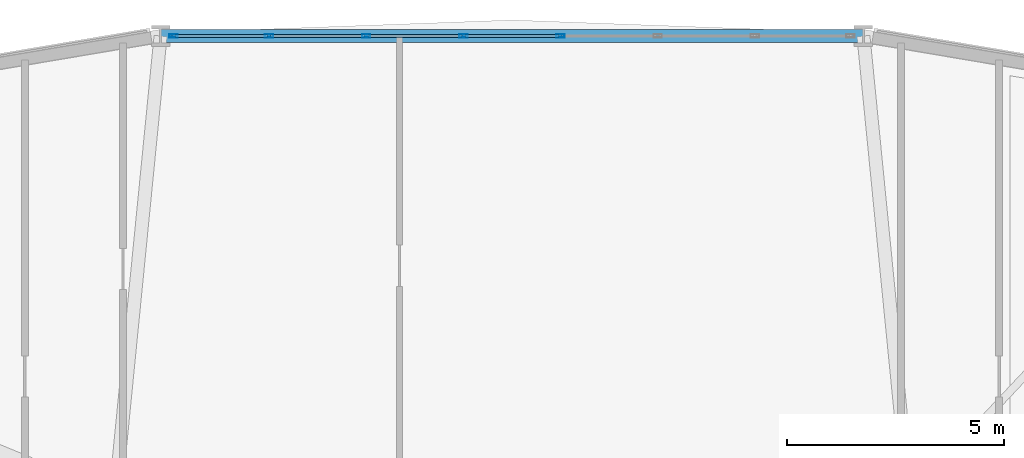
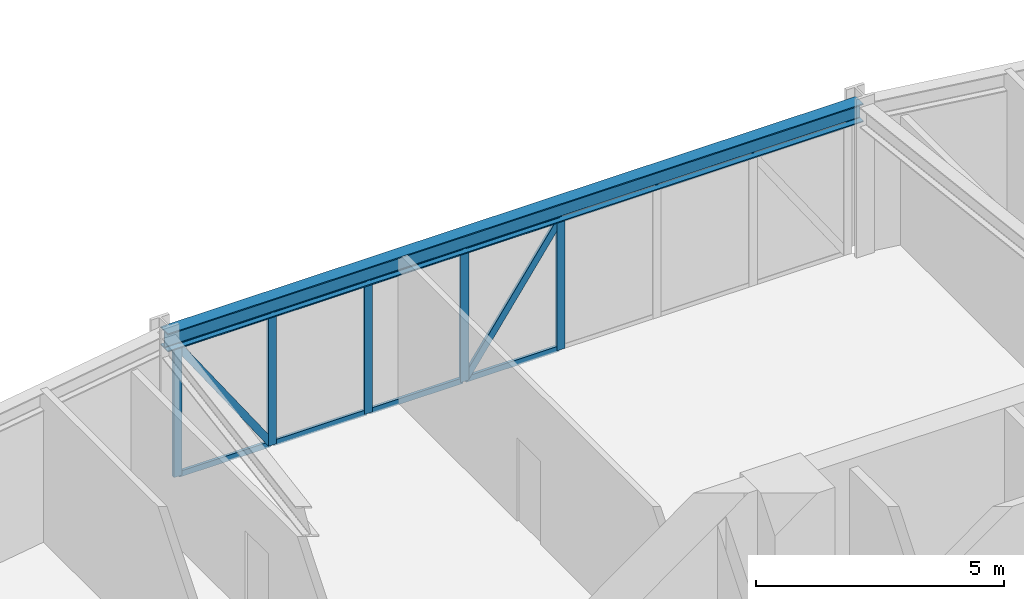
# One storey, part 11 of 21: 15 members, 1 beam, 1 element without a shape of its own.
"""IFC4 building model written with IfcOpenShell, lengths in metres."""

import ifcopenshell
import ifcopenshell.guid

model = None  # the IFC model being written
_history = None  # IfcOwnerHistory: only IFC2X3 demands one
_inside = {}  # id of a spatial element -> (the spatial element, [elements in it])
_under = {}  # id of a project, library or spatial element -> (it, [spatial elements below it])
_declared = {}  # id of a project -> (the project, [libraries it declares])
_typed = {}  # id of a type object -> (the type object, [elements of that type])
_made_of = {}  # id of a material, layer set ... -> (it, [elements and type objects made of it])


def new_model(schema):
    """Start an empty IFC model of exactly this schema.

    Asked for "IFC4X3", IfcOpenShell would pick the latest addendum, in which some entities
    have other attributes; the version numbers below select the first issue.
    IFC2X3 requires an IfcOwnerHistory on every rooted entity: one is made here for all.
    """
    global model, _history
    if schema == "IFC4X3":
        model = ifcopenshell.file(schema_version=(4, 3, 0, 0))
    else:
        model = ifcopenshell.file(schema=schema)
    _inside.clear()
    _under.clear()
    _declared.clear()
    _typed.clear()
    _made_of.clear()
    _history = None
    if model.schema == "IFC2X3":
        org = make("IfcOrganization", Name="unknown")
        user = make(
            "IfcPersonAndOrganization",
            ThePerson=make("IfcPerson", FamilyName="unknown"),
            TheOrganization=org,
        )
        app = make(
            "IfcApplication",
            ApplicationDeveloper=org,
            Version="unknown",
            ApplicationFullName="unknown",
            ApplicationIdentifier="unknown",
        )
        _history = make(
            "IfcOwnerHistory",
            OwningUser=user,
            OwningApplication=app,
            ChangeAction="ADDED",
            CreationDate=0,
        )
    return model


def make(cls, **values):
    """One entity of the class cls with the attributes given. An attribute that is None is left unset."""
    return model.create_entity(
        cls, **{name: value for name, value in values.items() if value is not None}
    )


def rooted(cls, **values):
    """An entity with a GlobalId (a new one), such as an element, a storey or a relation."""
    return make(cls, GlobalId=ifcopenshell.guid.new(), OwnerHistory=_history, **values)


def si_unit(unit_type, name, prefix=None):
    """IfcSIUnit, for example si_unit("LENGTHUNIT", "METRE", prefix="MILLI")."""
    return make("IfcSIUnit", UnitType=unit_type, Prefix=prefix, Name=name)


def derived_unit(unit_type, elements):
    """IfcDerivedUnit: a product of units, each with its exponent."""
    return make(
        "IfcDerivedUnit",
        Elements=[
            make("IfcDerivedUnitElement", Unit=unit, Exponent=power)
            for unit, power in elements
        ],
        UnitType=unit_type,
    )


def assignment(units):
    """IfcUnitAssignment: the units of a project."""
    return None if units is None else make("IfcUnitAssignment", Units=units)


def point(xyz):
    """IfcCartesianPoint."""
    return None if xyz is None else make("IfcCartesianPoint", Coordinates=xyz)


def direction(xyz):
    """IfcDirection."""
    return None if xyz is None else make("IfcDirection", DirectionRatios=xyz)


def frame(location, z_axis=None, x_axis=None):
    """IfcAxis2Placement3D, a coordinate frame: its origin and axes. An axis left out is left unset."""
    return make(
        "IfcAxis2Placement3D",
        Location=point(location),
        Axis=direction(z_axis),
        RefDirection=direction(x_axis),
    )


def frame_2d(location, x_axis=None):
    """IfcAxis2Placement2D, a coordinate frame in the plane: its origin and x axis."""
    return make(
        "IfcAxis2Placement2D", Location=point(location), RefDirection=direction(x_axis)
    )


def origin():
    """The frame at (0, 0, 0) with its axes left unset."""
    return frame((0.0, 0.0, 0.0))


def origin_2d():
    """The frame at (0, 0) in the plane with its x axis left unset."""
    return frame_2d((0.0, 0.0))


def place(relative_to, where):
    """IfcLocalPlacement: puts the frame where relative to a parent placement (None: the world)."""
    return make(
        "IfcLocalPlacement", PlacementRelTo=relative_to, RelativePlacement=where
    )


def context(
    kind, dimensions, precision=None, world=None, true_north=None, identifier=None
):
    """IfcGeometricRepresentationContext, for example the 3D "Model" context."""
    return make(
        "IfcGeometricRepresentationContext",
        ContextIdentifier=identifier,
        ContextType=kind,
        CoordinateSpaceDimension=dimensions,
        Precision=precision,
        WorldCoordinateSystem=world,
        TrueNorth=true_north,
    )


def subcontext(parent, identifier, kind, view, scale=None):
    """IfcGeometricRepresentationSubContext, for example "Body" below "Model"."""
    return make(
        "IfcGeometricRepresentationSubContext",
        ContextIdentifier=identifier,
        ContextType=kind,
        ParentContext=parent,
        TargetScale=scale,
        TargetView=view,
    )


def project(units=None, contexts=None):
    """IfcProject with its units and contexts."""
    return rooted(
        "IfcProject",
        Name="project",
        RepresentationContexts=contexts,
        UnitsInContext=assignment(units),
    )


def spatial(cls, under=None, at=None, **own):
    """A site, building, storey or space (cls), placed at a placement, below another one or the project."""
    s = rooted(cls, ObjectPlacement=at, **own)
    if under is not None:
        _under.setdefault(under.id(), (under, []))[1].append(s)
    return s


def profile(cls, at=None, kind="AREA", **sizes):
    """A parametric profile (cls). Its sizes go by their IFC names, for example OverallWidth=200.0."""
    return make(cls, ProfileType=kind, Position=at, **sizes)


def hollow_rectangle(**sizes):
    """IfcRectangleHollowProfileDef."""
    return profile("IfcRectangleHollowProfileDef", **sizes)


def i_section(**sizes):
    """IfcIShapeProfileDef."""
    return profile("IfcIShapeProfileDef", **sizes)


def extrude(swept, where, along, depth):
    """IfcExtrudedAreaSolid: the profile swept, set in the frame where, extruded along a direction by depth."""
    return make(
        "IfcExtrudedAreaSolid",
        SweptArea=swept,
        Position=where,
        ExtrudedDirection=direction(along),
        Depth=depth,
    )


def shape(context_of_items, identifier, shape_type, items):
    """IfcShapeRepresentation: the items that make up one representation, for example the "Body"."""
    return make(
        "IfcShapeRepresentation",
        ContextOfItems=context_of_items,
        RepresentationIdentifier=identifier,
        RepresentationType=shape_type,
        Items=items,
    )


def source(mapping_origin, context_of_items, identifier, shape_type, items):
    """IfcRepresentationMap: a shape defined once, which mapped items show again and again."""
    return make(
        "IfcRepresentationMap",
        MappingOrigin=mapping_origin,
        MappedRepresentation=shape(context_of_items, identifier, shape_type, items),
    )


def transform(
    local_origin,
    x_axis=None,
    y_axis=None,
    z_axis=None,
    scale=None,
    scale2=None,
    scale3=None,
    uniform=True,
):
    """IfcCartesianTransformationOperator3D, or its non-uniform kind. x_axis, y_axis, z_axis: its Axis1, 2, 3."""
    if uniform:
        return make(
            "IfcCartesianTransformationOperator3D",
            Axis1=direction(x_axis),
            Axis2=direction(y_axis),
            LocalOrigin=point(local_origin),
            Scale=scale,
            Axis3=direction(z_axis),
        )
    return make(
        "IfcCartesianTransformationOperator3DnonUniform",
        Axis1=direction(x_axis),
        Axis2=direction(y_axis),
        LocalOrigin=point(local_origin),
        Scale=scale,
        Axis3=direction(z_axis),
        Scale2=scale2,
        Scale3=scale3,
    )


def mapped(mapping_source, mapping_target):
    """IfcMappedItem: shows the shape of a source again, moved by a transform."""
    return make(
        "IfcMappedItem", MappingSource=mapping_source, MappingTarget=mapping_target
    )


def material(Name=None, Category=None):
    """IfcMaterial."""
    return make("IfcMaterial", Name=Name, Category=Category)


def layer(
    of_material, thickness, ventilated=None, Name=None, Category=None, Priority=None
):
    """IfcMaterialLayer: one layer of a wall or slab, of a material (None: an air gap)."""
    return make(
        "IfcMaterialLayer",
        Material=of_material,
        LayerThickness=thickness,
        IsVentilated=ventilated,
        Name=Name,
        Category=Category,
        Priority=Priority,
    )


def layer_set(layers, Name=None):
    """IfcMaterialLayerSet."""
    return make("IfcMaterialLayerSet", MaterialLayers=layers, LayerSetName=Name)


def material_profile(
    of_material, cross_section, Name=None, Category=None, Priority=None
):
    """IfcMaterialProfile: a cross section and its material."""
    return make(
        "IfcMaterialProfile",
        Name=Name,
        Material=of_material,
        Profile=cross_section,
        Priority=Priority,
        Category=Category,
    )


def profile_set(profiles, Name=None, composite=None):
    """IfcMaterialProfileSet."""
    return make(
        "IfcMaterialProfileSet",
        Name=Name,
        MaterialProfiles=profiles,
        CompositeProfile=composite,
    )


def made_of(thing, what):
    """Note that an element or type object is made of a material, layer set ...; save() writes the relation."""
    if what is not None:
        _made_of.setdefault(what.id(), (what, []))[1].append(thing)
    return thing


def type_object(cls, material=None, **own):
    """A type object (cls), such as IfcWallType, which elements share."""
    return made_of(rooted(cls, **own), material)


def element(
    cls,
    number,
    at=None,
    inside=None,
    cuts=None,
    type_object=None,
    material=None,
    context=None,
    identifier="Body",
    shape_type=None,
    held_by="IfcProductDefinitionShape",
    body=None,
    shapes=None,
    **own,
):
    """One element of the class cls, such as IfcWall. Its Tag is "e" and its number.

    at: its placement. inside: the storey or other place that contains it. cuts: it is an
    opening in that element (IfcRelVoidsElement). A single representation is given by context,
    identifier, shape_type and body (its items); several are given by shapes. held_by: the class
    of the entity that holds the representations. save() writes the other relations.
    """
    e = rooted(cls, Tag="e%d" % number, ObjectPlacement=at, **own)
    if body is not None:
        shapes = [shape(context, identifier, shape_type, body)]
    if shapes is not None:
        e.Representation = make(held_by, Representations=shapes)
    if inside is not None:
        _inside.setdefault(inside.id(), (inside, []))[1].append(e)
    if cuts is not None:
        rooted(
            "IfcRelVoidsElement", RelatingBuildingElement=cuts, RelatedOpeningElement=e
        )
    if type_object is not None:
        _typed.setdefault(type_object.id(), (type_object, []))[1].append(e)
    return made_of(e, material)


def aggregate(whole, parts):
    """IfcRelAggregates: a whole, such as a stair, and the parts it consists of."""
    return rooted("IfcRelAggregates", RelatingObject=whole, RelatedObjects=parts)


def save(model, path):
    """Write the relations noted so far, then the file.

    IfcRelAggregates (storeys below a building ...), IfcRelContainedInSpatialStructure (elements
    in a storey), IfcRelDefinesByType, IfcRelAssociatesMaterial and IfcRelDeclares: one each for
    every whole, place, type object, material and project.
    """
    for whole, parts in _under.values():
        aggregate(whole, parts)
    for where, things in _inside.values():
        rooted(
            "IfcRelContainedInSpatialStructure",
            RelatedElements=things,
            RelatingStructure=where,
        )
    for kind, things in _typed.values():
        rooted("IfcRelDefinesByType", RelatedObjects=things, RelatingType=kind)
    for what, things in _made_of.values():
        rooted("IfcRelAssociatesMaterial", RelatedObjects=things, RelatingMaterial=what)
    for by, libraries in _declared.values():
        rooted("IfcRelDeclares", RelatingContext=by, RelatedDefinitions=libraries)
    model.write(path)


model = new_model("IFC4")

# Units and contexts
model_context = context("Model", 3, precision=1e-05, world=origin(), true_north=direction((0.0, 1.0)))
body_context = subcontext(model_context, "Body", "Model", "MODEL_VIEW")
ifc_project = project(units=[si_unit("LENGTHUNIT", "METRE"), si_unit("AREAUNIT", "SQUARE_METRE"), si_unit("VOLUMEUNIT", "CUBIC_METRE"), si_unit("PLANEANGLEUNIT", "RADIAN"), si_unit("MASSUNIT", "GRAM", prefix="KILO"), derived_unit("THERMALTRANSMITTANCEUNIT", [(si_unit("POWERUNIT", "WATT"), 1), (si_unit("LENGTHUNIT", "METRE"), -2), (si_unit("THERMODYNAMICTEMPERATUREUNIT", "KELVIN"), -1)])], contexts=[model_context])

# Site, building, storey
site_placement = place(None, origin())
site = spatial("IfcSite", under=ifc_project, at=site_placement, CompositionType="ELEMENT")
building_placement = place(site_placement, origin())
building = spatial("IfcBuilding", under=site, at=building_placement, Name="Korsvarv Bourse and Concert Hall", CompositionType="ELEMENT")
storey_placement = place(building_placement, frame((0.0, 0.0, 27.89990234375)))
storey = spatial("IfcBuildingStorey", under=building, at=storey_placement, Name="L06", CompositionType="ELEMENT", Elevation=27.89990234375)

# Beam
ifc_material_1 = material(Name="Steel S355", Category="steel")
ifc_material_profile_1 = material_profile(ifc_material_1, i_section(OverallWidth=0.300048828125, OverallDepth=0.449951171875, WebThickness=0.013916015625, FlangeThickness=0.02587890625, FilletRadius=0.02099609375, at=origin_2d()), Name="HEB 450")
ifc_profile_set_1 = profile_set([ifc_material_profile_1], Name="Steel S355")
beam_type = type_object("IfcBeamType", Name="BM-HEB450", PredefinedType="SPANDREL", material=ifc_profile_set_1)
shared_shape_1 = source(origin(), body_context, "Body", "SweptSolid", [
    extrude(i_section(OverallWidth=0.300048828125, OverallDepth=0.449951171875, WebThickness=0.013916015625, FlangeThickness=0.02587890625, FilletRadius=0.02099609375, at=origin_2d()), origin(), (0.0, 0.0, 1.0), 16.19482421875),
])
beam_placement = place(storey_placement, frame((44.097412109375, 57.9169921875, 3.455078125), z_axis=(-1.0, 0.0, 0.0), x_axis=(0.0, -1.0, 0.0)))
element("IfcBeam", 1, at=beam_placement, inside=storey, type_object=beam_type, Name="L06 beam B-08", PredefinedType="SPANDREL", context=body_context, shape_type="MappedRepresentation", body=[
    mapped(shared_shape_1, transform((0.0, 0.0, 0.0), scale=1.0)),
])

# Curtain wall, members
ifc_material_2 = material(Name="Anodised aluminium and triple low-E glazing", Category="glass")
ifc_layer = layer(ifc_material_2, 0.219970703125)
ifc_layer_set = layer_set([ifc_layer], Name="Anodised aluminium and triple low-E glazing")
curtain_wall_type = type_object("IfcCurtainWallType", Name="CW-SYS-1", PredefinedType="NOTDEFINED", material=ifc_layer_set)
curtain_wall_placement = place(storey_placement, origin())
curtain_wall = element("IfcCurtainWall", 2, at=curtain_wall_placement, inside=storey, type_object=curtain_wall_type, Name="L06 CW1 curtain wall CW-L06-F03", PredefinedType="NOTDEFINED")
ifc_material_3 = material(Name="Extruded aluminium EN AW-6063 T66", Category="aluminium")
ifc_material_profile_2 = material_profile(ifc_material_3, hollow_rectangle(XDim=0.070068359375, YDim=0.18994140625, WallThickness=0.0048828125, at=origin_2d()), Name="ALU-M 70x190")
ifc_profile_set_2 = profile_set([ifc_material_profile_2], Name="Extruded aluminium EN AW-6063 T66")
member_type_1 = type_object("IfcMemberType", Name="CWM-190", PredefinedType="MULLION", material=ifc_profile_set_2)
shared_shape_2 = source(origin(), body_context, "Body", "SweptSolid", [
    extrude(hollow_rectangle(XDim=0.070068359375, YDim=0.18994140625, WallThickness=0.0048828125, at=origin_2d()), origin(), (0.0, 0.0, 1.0), 3.22998046875),
])
member_1_placement = place(storey_placement, frame((37.119384765625, 57.9169921875, 0.0), z_axis=(0.0, 0.0, 1.0), x_axis=(0.0, -1.0, 0.0)))
member_1 = element("IfcMember", 3, at=member_1_placement, type_object=member_type_1, Name="CW1 mullion 4", PredefinedType="MULLION", context=body_context, shape_type="MappedRepresentation", body=[
    mapped(shared_shape_2, transform((0.0, 0.0, 0.0), scale=1.0)),
])
member_2_placement = place(storey_placement, frame((34.880615234375, 57.9169921875, 0.0), z_axis=(0.0, 0.0, 1.0), x_axis=(0.0, -1.0, 0.0)))
member_2 = element("IfcMember", 4, at=member_2_placement, type_object=member_type_1, Name="CW1 mullion 5", PredefinedType="MULLION", context=body_context, shape_type="MappedRepresentation", body=[
    mapped(shared_shape_2, transform((0.0, 0.0, 0.0), scale=1.0)),
])
member_3_placement = place(storey_placement, frame((32.641845703125, 57.9169921875, 0.0), z_axis=(0.0, 0.0, 1.0), x_axis=(0.0, -1.0, 0.0)))
member_3 = element("IfcMember", 5, at=member_3_placement, type_object=member_type_1, Name="CW1 mullion 6", PredefinedType="MULLION", context=body_context, shape_type="MappedRepresentation", body=[
    mapped(shared_shape_2, transform((0.0, 0.0, 0.0), scale=1.0)),
])
member_4_placement = place(storey_placement, frame((30.4033203125, 57.9169921875, 0.0), z_axis=(0.0, 0.0, 1.0), x_axis=(0.0, -1.0, 0.0)))
member_4 = element("IfcMember", 6, at=member_4_placement, type_object=member_type_1, Name="CW1 mullion 7", PredefinedType="MULLION", context=body_context, shape_type="MappedRepresentation", body=[
    mapped(shared_shape_2, transform((0.0, 0.0, 0.0), scale=1.0)),
])
member_5_placement = place(storey_placement, frame((28.199462890625, 57.9169921875, 0.0), z_axis=(0.0, 0.0, 1.0), x_axis=(0.0, -1.0, 0.0)))
member_5 = element("IfcMember", 7, at=member_5_placement, type_object=member_type_1, Name="CW1 mullion 8", PredefinedType="MULLION", context=body_context, shape_type="MappedRepresentation", body=[
    mapped(shared_shape_2, transform((0.0, 0.0, 0.0), scale=1.0)),
])
ifc_material_profile_3 = material_profile(ifc_material_3, hollow_rectangle(XDim=0.06494140625, YDim=0.139892578125, WallThickness=0.00390625, at=origin_2d()), Name="ALU-T 65x140")
ifc_profile_set_3 = profile_set([ifc_material_profile_3], Name="Extruded aluminium EN AW-6063 T66")
member_type_2 = type_object("IfcMemberType", Name="CWT-140", PredefinedType="USERDEFINED", material=ifc_profile_set_3)
shared_shape_3 = source(origin(), body_context, "Body", "SweptSolid", [
    extrude(hollow_rectangle(XDim=0.06494140625, YDim=0.139892578125, WallThickness=0.00390625, at=origin_2d()), origin(), (0.0, 0.0, 1.0), 2.133544921875),
])
member_6_placement = place(storey_placement, frame((30.3681640625, 57.9169921875, 0.03271484375), z_axis=(-1.0, 0.0, 0.0), x_axis=(0.0, -1.0, 0.0)))
member_6 = element("IfcMember", 8, at=member_6_placement, type_object=member_type_2, Name="CW1 transom 7.1", ObjectType="TRANSOM", PredefinedType="USERDEFINED", context=body_context, shape_type="MappedRepresentation", body=[
    mapped(shared_shape_3, transform((0.0, 0.0, 0.0), scale=1.0)),
])
member_7_placement = place(storey_placement, frame((30.3681640625, 57.9169921875, 3.197509765625), z_axis=(-1.0, 0.0, 0.0), x_axis=(0.0, -1.0, 0.0)))
member_7 = element("IfcMember", 9, at=member_7_placement, type_object=member_type_2, Name="CW1 transom 7.2", ObjectType="TRANSOM", PredefinedType="USERDEFINED", context=body_context, shape_type="MappedRepresentation", body=[
    mapped(shared_shape_3, transform((0.0, 0.0, 0.0), scale=1.0)),
])
shared_shape_4 = source(origin(), body_context, "Body", "SweptSolid", [
    extrude(hollow_rectangle(XDim=0.06494140625, YDim=0.139892578125, WallThickness=0.00390625, at=origin_2d()), origin(), (0.0, 0.0, 1.0), 2.168701171875),
])
member_8_placement = place(storey_placement, frame((34.845703125, 57.9169921875, 0.03271484375), z_axis=(-1.0, 0.0, 0.0), x_axis=(0.0, -1.0, 0.0)))
member_8 = element("IfcMember", 10, at=member_8_placement, type_object=member_type_2, Name="CW1 transom 5.1", ObjectType="TRANSOM", PredefinedType="USERDEFINED", context=body_context, shape_type="MappedRepresentation", body=[
    mapped(shared_shape_4, transform((0.0, 0.0, 0.0), scale=1.0)),
])
member_9_placement = place(storey_placement, frame((34.845703125, 57.9169921875, 3.197509765625), z_axis=(-1.0, 0.0, 0.0), x_axis=(0.0, -1.0, 0.0)))
member_9 = element("IfcMember", 11, at=member_9_placement, type_object=member_type_2, Name="CW1 transom 5.2", ObjectType="TRANSOM", PredefinedType="USERDEFINED", context=body_context, shape_type="MappedRepresentation", body=[
    mapped(shared_shape_4, transform((0.0, 0.0, 0.0), scale=1.0)),
])
member_10_placement = place(storey_placement, frame((32.60693359375, 57.9169921875, 0.03271484375), z_axis=(-1.0, 0.0, 0.0), x_axis=(0.0, -1.0, 0.0)))
member_10 = element("IfcMember", 12, at=member_10_placement, type_object=member_type_2, Name="CW1 transom 6.1", ObjectType="TRANSOM", PredefinedType="USERDEFINED", context=body_context, shape_type="MappedRepresentation", body=[
    mapped(shared_shape_4, transform((0.0, 0.0, 0.0), scale=1.0)),
])
member_11_placement = place(storey_placement, frame((32.60693359375, 57.9169921875, 3.197509765625), z_axis=(-1.0, 0.0, 0.0), x_axis=(0.0, -1.0, 0.0)))
member_11 = element("IfcMember", 13, at=member_11_placement, type_object=member_type_2, Name="CW1 transom 6.2", ObjectType="TRANSOM", PredefinedType="USERDEFINED", context=body_context, shape_type="MappedRepresentation", body=[
    mapped(shared_shape_4, transform((0.0, 0.0, 0.0), scale=1.0)),
])
shared_shape_5 = source(origin(), body_context, "Body", "SweptSolid", [
    extrude(hollow_rectangle(XDim=0.06494140625, YDim=0.139892578125, WallThickness=0.00390625, at=origin_2d()), origin(), (0.0, 0.0, 1.0), 2.1689453125),
])
member_12_placement = place(storey_placement, frame((37.08447265625, 57.9169921875, 0.03271484375), z_axis=(-1.0, 0.0, 0.0), x_axis=(0.0, -1.0, 0.0)))
member_12 = element("IfcMember", 14, at=member_12_placement, type_object=member_type_2, Name="CW1 transom 4.1", ObjectType="TRANSOM", PredefinedType="USERDEFINED", context=body_context, shape_type="MappedRepresentation", body=[
    mapped(shared_shape_5, transform((0.0, 0.0, 0.0), scale=1.0)),
])
member_13_placement = place(storey_placement, frame((37.08447265625, 57.9169921875, 3.197509765625), z_axis=(-1.0, 0.0, 0.0), x_axis=(0.0, -1.0, 0.0)))
member_13 = element("IfcMember", 15, at=member_13_placement, type_object=member_type_2, Name="CW1 transom 4.2", ObjectType="TRANSOM", PredefinedType="USERDEFINED", context=body_context, shape_type="MappedRepresentation", body=[
    mapped(shared_shape_5, transform((0.0, 0.0, 0.0), scale=1.0)),
])
ifc_material_profile_4 = material_profile(ifc_material_3, hollow_rectangle(XDim=0.06494140625, YDim=0.1650390625, WallThickness=0.0048828125, at=origin_2d()), Name="ALU-M 65x165")
ifc_profile_set_4 = profile_set([ifc_material_profile_4], Name="Extruded aluminium EN AW-6063 T66")
member_type_3 = type_object("IfcMemberType", Name="CWM-165", PredefinedType="MULLION", material=ifc_profile_set_4)
shared_shape_6 = source(origin(), body_context, "Body", "SweptSolid", [
    extrude(hollow_rectangle(XDim=0.06494140625, YDim=0.1650390625, WallThickness=0.0048828125, at=origin_2d()), origin(), (0.0, 0.0, 1.0), 3.76318359375),
])
member_14_placement = place(storey_placement, frame((30.3681640625, 57.9169921875, 0.065185546875), z_axis=(-0.566961029524, 0.0, 0.823744615158), x_axis=(0.0, -1.0, 0.0)))
member_14 = element("IfcMember", 16, at=member_14_placement, type_object=member_type_3, Name="CW1 diagonal mullion 7", PredefinedType="MULLION", context=body_context, shape_type="MappedRepresentation", body=[
    mapped(shared_shape_6, transform((0.0, 0.0, 0.0), scale=1.0)),
])
shared_shape_7 = source(origin(), body_context, "Body", "SweptSolid", [
    extrude(hollow_rectangle(XDim=0.06494140625, YDim=0.1650390625, WallThickness=0.0048828125, at=origin_2d()), origin(), (0.0, 0.0, 1.0), 3.783203125),
])
member_15_placement = place(storey_placement, frame((34.91552734375, 57.9169921875, 0.065185546875), z_axis=(0.573293425524, 0.0, 0.819350137762), x_axis=(0.0, 1.0, 0.0)))
member_15 = element("IfcMember", 17, at=member_15_placement, type_object=member_type_3, Name="CW1 diagonal mullion 4", PredefinedType="MULLION", context=body_context, shape_type="MappedRepresentation", body=[
    mapped(shared_shape_7, transform((0.0, 0.0, 0.0), scale=1.0)),
])
aggregate(curtain_wall, [member_1, member_2, member_3, member_4, member_5, member_12, member_13, member_15, member_8, member_9, member_10, member_11, member_6, member_7, member_14])

save(model, "model.ifc")
